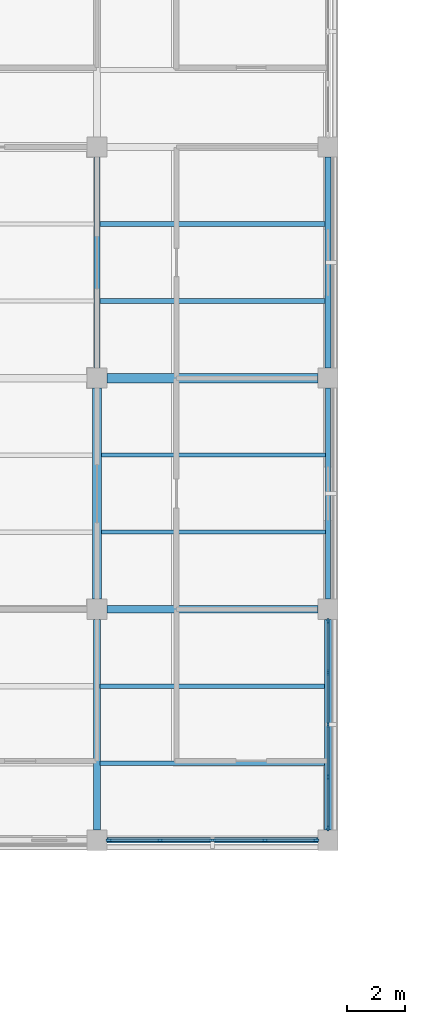
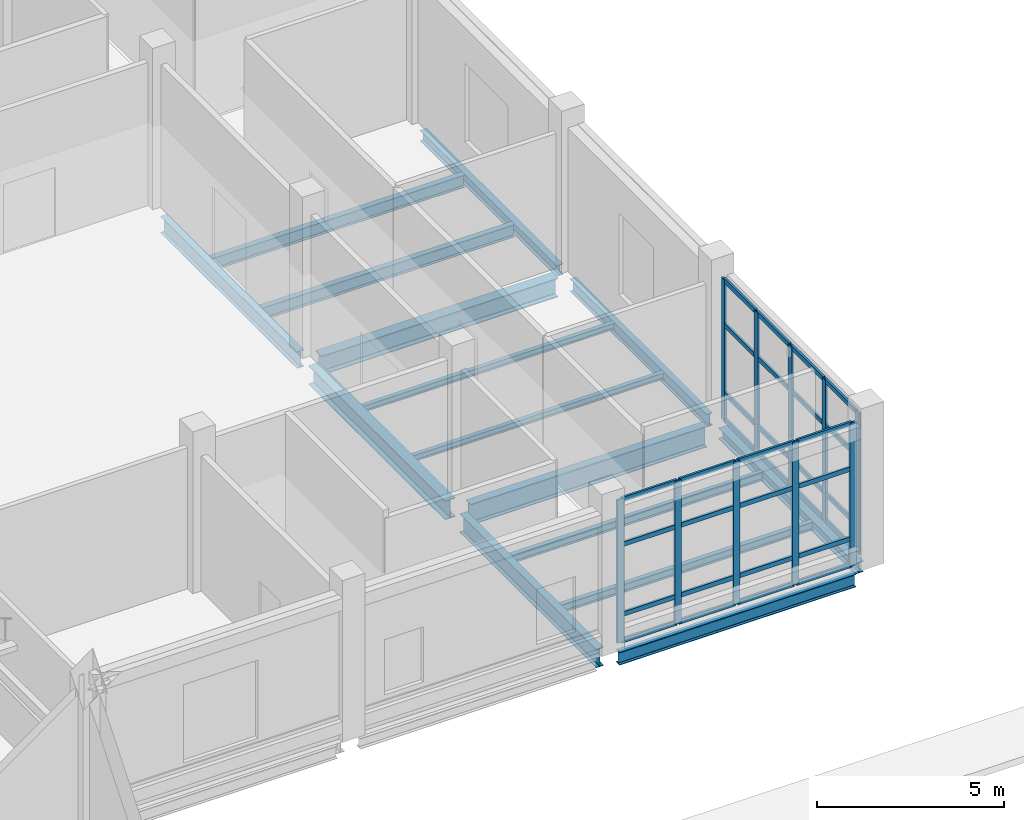
# One storey, part 9 of 105: 42 members, 15 beams, 2 elements without a shape of their own.
"""IFC4 building model written with IfcOpenShell, lengths in metres."""

from ifc_helpers import new_model, si_unit, derived_unit, direction, frame, origin, origin_2d, place, context, subcontext, project, spatial, rectangle, i_section, extrude, material, layer, layer_set, material_profile, profile_set, type_object, element, aggregate, save


model = new_model("IFC4")

# Units and contexts
model_context = context("Model", 3, precision=1e-05, world=origin(), true_north=direction((0.0, 1.0)))
body_context = subcontext(model_context, "Body", "Model", "MODEL_VIEW")
ifc_project = project(units=[si_unit("LENGTHUNIT", "METRE"), si_unit("AREAUNIT", "SQUARE_METRE"), si_unit("VOLUMEUNIT", "CUBIC_METRE"), si_unit("PLANEANGLEUNIT", "RADIAN"), si_unit("MASSUNIT", "GRAM", prefix="KILO"), derived_unit("THERMALTRANSMITTANCEUNIT", [(si_unit("MASSUNIT", "GRAM", prefix="KILO"), 1), (si_unit("TIMEUNIT", "SECOND"), -3), (si_unit("THERMODYNAMICTEMPERATUREUNIT", "KELVIN"), -1)])], contexts=[model_context])

# Site, building, storey
site_placement = place(None, origin())
site = spatial("IfcSite", under=ifc_project, at=site_placement, CompositionType="ELEMENT")
building_placement = place(site_placement, origin())
building = spatial("IfcBuilding", under=site, at=building_placement, Name="Veyamyaing Civic Hall", CompositionType="ELEMENT")
storey_placement = place(building_placement, origin())
storey = spatial("IfcBuildingStorey", under=building, at=storey_placement, Name="L00", CompositionType="ELEMENT", Elevation=0.0)

# Beams
ifc_material_1 = material(Name="Steel ASTM A992", Category="steel")
ifc_material_profile_1 = material_profile(ifc_material_1, i_section(OverallWidth=0.22802734375, OverallDepth=0.60791015625, WebThickness=0.01123046875, FlangeThickness=0.017333984375, FilletRadius=0.012939453125, at=origin_2d()), Name="W610X113")
ifc_profile_set_1 = profile_set([ifc_material_profile_1], Name="Steel ASTM A992")
beam_type_1 = type_object("IfcBeamType", Name="B-06", PredefinedType="BEAM", material=ifc_profile_set_1)
beam_1_placement = place(storey_placement, frame((32.0, 8.35009765625, -0.569091796875), z_axis=(0.0, 1.0, 0.0), x_axis=(-1.0, 0.0, 0.0)))
element("IfcBeam", 1, at=beam_1_placement, inside=storey, type_object=beam_type_1, Name="Girder B-06 L00 Grid 5 B-C", PredefinedType="BEAM", context=body_context, shape_type="SweptSolid", body=[
    extrude(i_section(OverallWidth=0.22802734375, OverallDepth=0.60791015625, WebThickness=0.01123046875, FlangeThickness=0.017333984375, FilletRadius=0.012939453125, at=origin_2d()), origin(), (0.0, 0.0, 1.0), 7.2998046875),
])
ifc_material_profile_2 = material_profile(ifc_material_1, i_section(OverallWidth=0.179931640625, OverallDepth=0.4130859375, WebThickness=0.009765625, FlangeThickness=0.01611328125, FilletRadius=0.010009765625, at=origin_2d()), Name="W410X74")
ifc_profile_set_2 = profile_set([ifc_material_profile_2], Name="Steel ASTM A992")
beam_type_2 = type_object("IfcBeamType", Name="B-10", PredefinedType="SPANDREL", material=ifc_profile_set_2)
beam_2_placement = place(storey_placement, frame((40.0, 16.35009765625, -0.471435546875), z_axis=(0.0, 1.0, 0.0), x_axis=(-1.0, 0.0, 0.0)))
element("IfcBeam", 2, at=beam_2_placement, inside=storey, type_object=beam_type_2, Name="Girder B-10 L00 Grid 6 C-D", PredefinedType="SPANDREL", context=body_context, shape_type="SweptSolid", body=[
    extrude(i_section(OverallWidth=0.179931640625, OverallDepth=0.4130859375, WebThickness=0.009765625, FlangeThickness=0.01611328125, FilletRadius=0.010009765625, at=origin_2d()), origin(), (0.0, 0.0, 1.0), 7.2998046875),
])
ifc_material_profile_3 = material_profile(ifc_material_1, i_section(OverallWidth=0.2041015625, OverallDepth=0.35009765625, WebThickness=0.0078125, FlangeThickness=0.01513671875, FilletRadius=0.010009765625, at=origin_2d()), Name="W360X72")
ifc_profile_set_3 = profile_set([ifc_material_profile_3], Name="Steel ASTM A992")
beam_type_3 = type_object("IfcBeamType", Name="B-11", PredefinedType="SPANDREL", material=ifc_profile_set_3)
beam_3_placement = place(storey_placement, frame((40.0, 24.35009765625, -0.43994140625), z_axis=(0.0, 1.0, 0.0), x_axis=(-1.0, 0.0, 0.0)))
element("IfcBeam", 3, at=beam_3_placement, inside=storey, type_object=beam_type_3, Name="Girder B-11 L00 Grid 6 D-E", PredefinedType="SPANDREL", context=body_context, shape_type="SweptSolid", body=[
    extrude(i_section(OverallWidth=0.2041015625, OverallDepth=0.35009765625, WebThickness=0.0078125, FlangeThickness=0.01513671875, FilletRadius=0.010009765625, at=origin_2d()), origin(), (0.0, 0.0, 1.0), 7.2998046875),
])
ifc_material_profile_4 = material_profile(ifc_material_1, i_section(OverallWidth=0.25390625, OverallDepth=0.68408203125, WebThickness=0.012451171875, FlangeThickness=0.01904296875, FilletRadius=0.013916015625, at=origin_2d()), Name="W690X140")
ifc_profile_set_4 = profile_set([ifc_material_profile_4], Name="Steel ASTM A992")
beam_type_4 = type_object("IfcBeamType", Name="B-14", PredefinedType="BEAM", material=ifc_profile_set_4)
beam_4_placement = place(storey_placement, frame((32.35009765625, 16.0, -0.60693359375), z_axis=(1.0, 0.0, 0.0), x_axis=(0.0, 1.0, 0.0)))
element("IfcBeam", 4, at=beam_4_placement, inside=storey, type_object=beam_type_4, Name="Girder B-14 L00 Grid C 5-6", PredefinedType="BEAM", context=body_context, shape_type="SweptSolid", body=[
    extrude(i_section(OverallWidth=0.25390625, OverallDepth=0.68408203125, WebThickness=0.012451171875, FlangeThickness=0.01904296875, FilletRadius=0.013916015625, at=origin_2d()), origin(), (0.0, 0.0, 1.0), 7.2998046875),
])
ifc_material_profile_5 = material_profile(ifc_material_1, i_section(OverallWidth=0.324951171875, OverallDepth=0.615966796875, WebThickness=0.013916015625, FlangeThickness=0.021484375, FilletRadius=0.013916015625, at=origin_2d()), Name="W610X174")
ifc_profile_set_5 = profile_set([ifc_material_profile_5], Name="Steel ASTM A992")
beam_type_5 = type_object("IfcBeamType", Name="B-15", PredefinedType="BEAM", material=ifc_profile_set_5)
for number, where, z_axis, x_axis, name in (
    (5, (32.35009765625, 24.0, -0.572998046875), (1.0, 0.0, 0.0), (0.0, 1.0, 0.0), "Girder B-15 L00 Grid D 5-6"),
    (6, (32.0, 16.35009765625, -0.572998046875), (0.0, 1.0, 0.0), (-1.0, 0.0, 0.0), "Girder B-15 L00 Grid 5 C-D"),
):
    element("IfcBeam", number, at=place(storey_placement, frame(where, z_axis=z_axis, x_axis=x_axis)), inside=storey, type_object=beam_type_5, Name=name, PredefinedType="BEAM", context=body_context, shape_type="SweptSolid", body=[
        extrude(i_section(OverallWidth=0.324951171875, OverallDepth=0.615966796875, WebThickness=0.013916015625, FlangeThickness=0.021484375, FilletRadius=0.013916015625, at=origin_2d()), origin(), (0.0, 0.0, 1.0), 7.2998046875),
    ])
ifc_material_profile_6 = material_profile(ifc_material_1, i_section(OverallWidth=0.214111328125, OverallDepth=0.549072265625, WebThickness=0.0146484375, FlangeThickness=0.023681640625, FilletRadius=0.011962890625, at=origin_2d()), Name="W530X138")
ifc_profile_set_6 = profile_set([ifc_material_profile_6], Name="Steel ASTM A992")
beam_type_6 = type_object("IfcBeamType", Name="B-16", PredefinedType="BEAM", material=ifc_profile_set_6)
beam_5_placement = place(storey_placement, frame((32.0, 24.35009765625, -0.53955078125), z_axis=(0.0, 1.0, 0.0), x_axis=(-1.0, 0.0, 0.0)))
element("IfcBeam", 7, at=beam_5_placement, inside=storey, type_object=beam_type_6, Name="Girder B-16 L00 Grid 5 D-E", PredefinedType="BEAM", context=body_context, shape_type="SweptSolid", body=[
    extrude(i_section(OverallWidth=0.214111328125, OverallDepth=0.549072265625, WebThickness=0.0146484375, FlangeThickness=0.023681640625, FilletRadius=0.011962890625, at=origin_2d()), origin(), (0.0, 0.0, 1.0), 7.2998046875),
])
ifc_material_profile_7 = material_profile(ifc_material_1, i_section(OverallWidth=0.180908203125, OverallDepth=0.4169921875, WebThickness=0.010986328125, FlangeThickness=0.018310546875, FilletRadius=0.010009765625, at=origin_2d()), Name="W410X85")
ifc_profile_set_7 = profile_set([ifc_material_profile_7], Name="Steel ASTM A992")
beam_type_7 = type_object("IfcBeamType", Name="B-19", PredefinedType="SPANDREL", material=ifc_profile_set_7)
beam_6_placement = place(storey_placement, frame((32.35009765625, 8.0, -0.473388671875), z_axis=(1.0, 0.0, 0.0), x_axis=(0.0, 1.0, 0.0)))
element("IfcBeam", 8, at=beam_6_placement, inside=storey, type_object=beam_type_7, Name="Girder B-19 L00 Grid B 5-6", PredefinedType="SPANDREL", context=body_context, shape_type="SweptSolid", body=[
    extrude(i_section(OverallWidth=0.180908203125, OverallDepth=0.4169921875, WebThickness=0.010986328125, FlangeThickness=0.018310546875, FilletRadius=0.010009765625, at=origin_2d()), origin(), (0.0, 0.0, 1.0), 7.2998046875),
])
ifc_material_profile_8 = material_profile(ifc_material_1, i_section(OverallWidth=0.25390625, OverallDepth=0.35302734375, WebThickness=0.009521484375, FlangeThickness=0.016357421875, FilletRadius=0.011962890625, at=origin_2d()), Name="W360X91")
ifc_profile_set_8 = profile_set([ifc_material_profile_8], Name="Steel ASTM A992")
beam_type_8 = type_object("IfcBeamType", Name="B-20", PredefinedType="SPANDREL", material=ifc_profile_set_8)
beam_7_placement = place(storey_placement, frame((40.0, 8.35009765625, -0.44140625), z_axis=(0.0, 1.0, 0.0), x_axis=(-1.0, 0.0, 0.0)))
element("IfcBeam", 9, at=beam_7_placement, inside=storey, type_object=beam_type_8, Name="Girder B-20 L00 Grid 6 B-C", PredefinedType="SPANDREL", context=body_context, shape_type="SweptSolid", body=[
    extrude(i_section(OverallWidth=0.25390625, OverallDepth=0.35302734375, WebThickness=0.009521484375, FlangeThickness=0.016357421875, FilletRadius=0.011962890625, at=origin_2d()), origin(), (0.0, 0.0, 1.0), 7.2998046875),
])

# Curtain wall, members
ifc_material_2 = material(Name="Anodised aluminium 6063-T6", Category="aluminium")
ifc_layer = layer(ifc_material_2, 0.199951171875, Name="Anodised aluminium 6063-T6")
ifc_layer_set = layer_set([ifc_layer], Name="Anodised aluminium 6063-T6")
curtain_wall_type = type_object("IfcCurtainWallType", Name="CW-10", PredefinedType="NOTDEFINED", material=ifc_layer_set)
curtain_wall_1_placement = place(storey_placement, origin())
curtain_wall_1 = element("IfcCurtainWall", 10, at=curtain_wall_1_placement, inside=storey, type_object=curtain_wall_type, Name="Unitized curtain wall CW-10 L00 S 5.2", PredefinedType="NOTDEFINED")
ifc_material_profile_9 = material_profile(ifc_material_2, rectangle(XDim=0.070068359375, YDim=0.199951171875, at=origin_2d()), Name="ALU-MUL-70X200")
ifc_profile_set_9 = profile_set([ifc_material_profile_9], Name="Anodised aluminium 6063-T6")
member_type_1 = type_object("IfcMemberType", Name="CWM-04", PredefinedType="MULLION", material=ifc_profile_set_9)
member_1_placement = place(storey_placement, frame((32.4150390625, 8.0, 0.0), z_axis=(0.0, 0.0, 1.0), x_axis=(0.0, 1.0, 0.0)))
member_1 = element("IfcMember", 11, at=member_1_placement, type_object=member_type_1, Name="CW-10 mullion 1", PredefinedType="MULLION", context=body_context, shape_type="SweptSolid", body=[
    extrude(rectangle(XDim=0.070068359375, YDim=0.199951171875, at=origin_2d()), origin(), (0.0, 0.0, 1.0), 4.674072265625),
])
member_2_placement = place(storey_placement, frame((34.18994140625, 8.0, 0.0), z_axis=(0.0, 0.0, 1.0), x_axis=(0.0, 1.0, 0.0)))
member_2 = element("IfcMember", 12, at=member_2_placement, type_object=member_type_1, Name="CW-10 mullion 2", PredefinedType="MULLION", context=body_context, shape_type="SweptSolid", body=[
    extrude(rectangle(XDim=0.070068359375, YDim=0.199951171875, at=origin_2d()), origin(), (0.0, 0.0, 1.0), 4.674072265625),
])
member_3_placement = place(storey_placement, frame((36.0, 8.0, 0.0), z_axis=(0.0, 0.0, 1.0), x_axis=(0.0, 1.0, 0.0)))
member_3 = element("IfcMember", 13, at=member_3_placement, type_object=member_type_1, Name="CW-10 mullion 3", PredefinedType="MULLION", context=body_context, shape_type="SweptSolid", body=[
    extrude(rectangle(XDim=0.070068359375, YDim=0.199951171875, at=origin_2d()), origin(), (0.0, 0.0, 1.0), 4.674072265625),
])
member_4_placement = place(storey_placement, frame((37.81005859375, 8.0, 0.0), z_axis=(0.0, 0.0, 1.0), x_axis=(0.0, 1.0, 0.0)))
member_4 = element("IfcMember", 14, at=member_4_placement, type_object=member_type_1, Name="CW-10 mullion 4", PredefinedType="MULLION", context=body_context, shape_type="SweptSolid", body=[
    extrude(rectangle(XDim=0.070068359375, YDim=0.199951171875, at=origin_2d()), origin(), (0.0, 0.0, 1.0), 4.674072265625),
])
member_5_placement = place(storey_placement, frame((39.5849609375, 8.0, 0.0), z_axis=(0.0, 0.0, 1.0), x_axis=(0.0, 1.0, 0.0)))
member_5 = element("IfcMember", 15, at=member_5_placement, type_object=member_type_1, Name="CW-10 mullion 5", PredefinedType="MULLION", context=body_context, shape_type="SweptSolid", body=[
    extrude(rectangle(XDim=0.070068359375, YDim=0.199951171875, at=origin_2d()), origin(), (0.0, 0.0, 1.0), 4.674072265625),
])

curtain_wall_2_placement = place(storey_placement, origin())
curtain_wall_2 = element("IfcCurtainWall", 16, at=curtain_wall_2_placement, inside=storey, type_object=curtain_wall_type, Name="Unitized curtain wall CW-10 L00 E 5.2", PredefinedType="NOTDEFINED")
member_6_placement = place(storey_placement, frame((40.0, 8.4150390625, 0.0), z_axis=(0.0, 0.0, 1.0), x_axis=(-1.0, 0.0, 0.0)))
member_6 = element("IfcMember", 17, at=member_6_placement, type_object=member_type_1, Name="CW-10 mullion 1", PredefinedType="MULLION", context=body_context, shape_type="SweptSolid", body=[
    extrude(rectangle(XDim=0.070068359375, YDim=0.199951171875, at=origin_2d()), origin(), (0.0, 0.0, 1.0), 4.614013671875),
])
member_7_placement = place(storey_placement, frame((40.0, 10.18994140625, 0.0), z_axis=(0.0, 0.0, 1.0), x_axis=(-1.0, 0.0, 0.0)))
member_7 = element("IfcMember", 18, at=member_7_placement, type_object=member_type_1, Name="CW-10 mullion 2", PredefinedType="MULLION", context=body_context, shape_type="SweptSolid", body=[
    extrude(rectangle(XDim=0.070068359375, YDim=0.199951171875, at=origin_2d()), origin(), (0.0, 0.0, 1.0), 4.614013671875),
])
member_8_placement = place(storey_placement, frame((40.0, 12.0, 0.0), z_axis=(0.0, 0.0, 1.0), x_axis=(-1.0, 0.0, 0.0)))
member_8 = element("IfcMember", 19, at=member_8_placement, type_object=member_type_1, Name="CW-10 mullion 3", PredefinedType="MULLION", context=body_context, shape_type="SweptSolid", body=[
    extrude(rectangle(XDim=0.070068359375, YDim=0.199951171875, at=origin_2d()), origin(), (0.0, 0.0, 1.0), 4.614013671875),
])
member_9_placement = place(storey_placement, frame((40.0, 13.81005859375, 0.0), z_axis=(0.0, 0.0, 1.0), x_axis=(-1.0, 0.0, 0.0)))
member_9 = element("IfcMember", 20, at=member_9_placement, type_object=member_type_1, Name="CW-10 mullion 4", PredefinedType="MULLION", context=body_context, shape_type="SweptSolid", body=[
    extrude(rectangle(XDim=0.070068359375, YDim=0.199951171875, at=origin_2d()), origin(), (0.0, 0.0, 1.0), 4.614013671875),
])
member_10_placement = place(storey_placement, frame((40.0, 15.5849609375, 0.0), z_axis=(0.0, 0.0, 1.0), x_axis=(-1.0, 0.0, 0.0)))
member_10 = element("IfcMember", 21, at=member_10_placement, type_object=member_type_1, Name="CW-10 mullion 5", PredefinedType="MULLION", context=body_context, shape_type="SweptSolid", body=[
    extrude(rectangle(XDim=0.070068359375, YDim=0.199951171875, at=origin_2d()), origin(), (0.0, 0.0, 1.0), 4.614013671875),
])

# Member
ifc_material_profile_10 = material_profile(ifc_material_2, rectangle(XDim=0.070068359375, YDim=0.14990234375, at=origin_2d()), Name="ALU-TRN-70X150")
ifc_profile_set_10 = profile_set([ifc_material_profile_10], Name="Anodised aluminium 6063-T6")
member_type_2 = type_object("IfcMemberType", Name="CWT-04", PredefinedType="USERDEFINED", material=ifc_profile_set_10)
member_11_placement = place(storey_placement, frame((32.449951171875, 8.0, 0.034912109375), z_axis=(1.0, 0.0, 0.0), x_axis=(0.0, 1.0, 0.0)))
member_11 = element("IfcMember", 22, at=member_11_placement, type_object=member_type_2, Name="CW-10 transom 1.1", ObjectType="TRANSOM", PredefinedType="USERDEFINED", context=body_context, shape_type="SweptSolid", body=[
    extrude(rectangle(XDim=0.070068359375, YDim=0.14990234375, at=origin_2d()), origin(), (0.0, 0.0, 1.0), 1.705078125),
])

member_12_placement = place(storey_placement, frame((32.449951171875, 8.0, 0.89990234375), z_axis=(1.0, 0.0, 0.0), x_axis=(0.0, 1.0, 0.0)))
member_12 = element("IfcMember", 23, at=member_12_placement, type_object=member_type_2, Name="CW-10 transom 1.2", ObjectType="TRANSOM", PredefinedType="USERDEFINED", context=body_context, shape_type="SweptSolid", body=[
    extrude(rectangle(XDim=0.070068359375, YDim=0.14990234375, at=origin_2d()), origin(), (0.0, 0.0, 1.0), 1.705078125),
])

member_13_placement = place(storey_placement, frame((32.449951171875, 8.0, 3.17822265625), z_axis=(1.0, 0.0, 0.0), x_axis=(0.0, 1.0, 0.0)))
member_13 = element("IfcMember", 24, at=member_13_placement, type_object=member_type_2, Name="CW-10 transom 1.3", ObjectType="TRANSOM", PredefinedType="USERDEFINED", context=body_context, shape_type="SweptSolid", body=[
    extrude(rectangle(XDim=0.070068359375, YDim=0.14990234375, at=origin_2d()), origin(), (0.0, 0.0, 1.0), 1.705078125),
])

member_14_placement = place(storey_placement, frame((32.449951171875, 8.0, 4.638916015625), z_axis=(1.0, 0.0, 0.0), x_axis=(0.0, 1.0, 0.0)))
member_14 = element("IfcMember", 25, at=member_14_placement, type_object=member_type_2, Name="CW-10 transom 1.4", ObjectType="TRANSOM", PredefinedType="USERDEFINED", context=body_context, shape_type="SweptSolid", body=[
    extrude(rectangle(XDim=0.070068359375, YDim=0.14990234375, at=origin_2d()), origin(), (0.0, 0.0, 1.0), 1.705078125),
])

member_15_placement = place(storey_placement, frame((34.22509765625, 8.0, 0.034912109375), z_axis=(1.0, 0.0, 0.0), x_axis=(0.0, 1.0, 0.0)))
member_15 = element("IfcMember", 26, at=member_15_placement, type_object=member_type_2, Name="CW-10 transom 2.1", ObjectType="TRANSOM", PredefinedType="USERDEFINED", context=body_context, shape_type="SweptSolid", body=[
    extrude(rectangle(XDim=0.070068359375, YDim=0.14990234375, at=origin_2d()), origin(), (0.0, 0.0, 1.0), 1.739990234375),
])

member_16_placement = place(storey_placement, frame((34.22509765625, 8.0, 0.89990234375), z_axis=(1.0, 0.0, 0.0), x_axis=(0.0, 1.0, 0.0)))
member_16 = element("IfcMember", 27, at=member_16_placement, type_object=member_type_2, Name="CW-10 transom 2.2", ObjectType="TRANSOM", PredefinedType="USERDEFINED", context=body_context, shape_type="SweptSolid", body=[
    extrude(rectangle(XDim=0.070068359375, YDim=0.14990234375, at=origin_2d()), origin(), (0.0, 0.0, 1.0), 1.739990234375),
])

member_17_placement = place(storey_placement, frame((34.22509765625, 8.0, 3.17822265625), z_axis=(1.0, 0.0, 0.0), x_axis=(0.0, 1.0, 0.0)))
member_17 = element("IfcMember", 28, at=member_17_placement, type_object=member_type_2, Name="CW-10 transom 2.3", ObjectType="TRANSOM", PredefinedType="USERDEFINED", context=body_context, shape_type="SweptSolid", body=[
    extrude(rectangle(XDim=0.070068359375, YDim=0.14990234375, at=origin_2d()), origin(), (0.0, 0.0, 1.0), 1.739990234375),
])

member_18_placement = place(storey_placement, frame((34.22509765625, 8.0, 4.638916015625), z_axis=(1.0, 0.0, 0.0), x_axis=(0.0, 1.0, 0.0)))
member_18 = element("IfcMember", 29, at=member_18_placement, type_object=member_type_2, Name="CW-10 transom 2.4", ObjectType="TRANSOM", PredefinedType="USERDEFINED", context=body_context, shape_type="SweptSolid", body=[
    extrude(rectangle(XDim=0.070068359375, YDim=0.14990234375, at=origin_2d()), origin(), (0.0, 0.0, 1.0), 1.739990234375),
])

member_19_placement = place(storey_placement, frame((36.034912109375, 8.0, 0.034912109375), z_axis=(1.0, 0.0, 0.0), x_axis=(0.0, 1.0, 0.0)))
member_19 = element("IfcMember", 30, at=member_19_placement, type_object=member_type_2, Name="CW-10 transom 3.1", ObjectType="TRANSOM", PredefinedType="USERDEFINED", context=body_context, shape_type="SweptSolid", body=[
    extrude(rectangle(XDim=0.070068359375, YDim=0.14990234375, at=origin_2d()), origin(), (0.0, 0.0, 1.0), 1.739990234375),
])

member_20_placement = place(storey_placement, frame((36.034912109375, 8.0, 0.89990234375), z_axis=(1.0, 0.0, 0.0), x_axis=(0.0, 1.0, 0.0)))
member_20 = element("IfcMember", 31, at=member_20_placement, type_object=member_type_2, Name="CW-10 transom 3.2", ObjectType="TRANSOM", PredefinedType="USERDEFINED", context=body_context, shape_type="SweptSolid", body=[
    extrude(rectangle(XDim=0.070068359375, YDim=0.14990234375, at=origin_2d()), origin(), (0.0, 0.0, 1.0), 1.739990234375),
])

member_21_placement = place(storey_placement, frame((36.034912109375, 8.0, 3.17822265625), z_axis=(1.0, 0.0, 0.0), x_axis=(0.0, 1.0, 0.0)))
member_21 = element("IfcMember", 32, at=member_21_placement, type_object=member_type_2, Name="CW-10 transom 3.3", ObjectType="TRANSOM", PredefinedType="USERDEFINED", context=body_context, shape_type="SweptSolid", body=[
    extrude(rectangle(XDim=0.070068359375, YDim=0.14990234375, at=origin_2d()), origin(), (0.0, 0.0, 1.0), 1.739990234375),
])

member_22_placement = place(storey_placement, frame((36.034912109375, 8.0, 4.638916015625), z_axis=(1.0, 0.0, 0.0), x_axis=(0.0, 1.0, 0.0)))
member_22 = element("IfcMember", 33, at=member_22_placement, type_object=member_type_2, Name="CW-10 transom 3.4", ObjectType="TRANSOM", PredefinedType="USERDEFINED", context=body_context, shape_type="SweptSolid", body=[
    extrude(rectangle(XDim=0.070068359375, YDim=0.14990234375, at=origin_2d()), origin(), (0.0, 0.0, 1.0), 1.739990234375),
])

member_23_placement = place(storey_placement, frame((37.844970703125, 8.0, 0.034912109375), z_axis=(1.0, 0.0, 0.0), x_axis=(0.0, 1.0, 0.0)))
member_23 = element("IfcMember", 34, at=member_23_placement, type_object=member_type_2, Name="CW-10 transom 4.1", ObjectType="TRANSOM", PredefinedType="USERDEFINED", context=body_context, shape_type="SweptSolid", body=[
    extrude(rectangle(XDim=0.070068359375, YDim=0.14990234375, at=origin_2d()), origin(), (0.0, 0.0, 1.0), 1.705078125),
])

member_24_placement = place(storey_placement, frame((37.844970703125, 8.0, 0.89990234375), z_axis=(1.0, 0.0, 0.0), x_axis=(0.0, 1.0, 0.0)))
member_24 = element("IfcMember", 35, at=member_24_placement, type_object=member_type_2, Name="CW-10 transom 4.2", ObjectType="TRANSOM", PredefinedType="USERDEFINED", context=body_context, shape_type="SweptSolid", body=[
    extrude(rectangle(XDim=0.070068359375, YDim=0.14990234375, at=origin_2d()), origin(), (0.0, 0.0, 1.0), 1.705078125),
])

member_25_placement = place(storey_placement, frame((37.844970703125, 8.0, 3.17822265625), z_axis=(1.0, 0.0, 0.0), x_axis=(0.0, 1.0, 0.0)))
member_25 = element("IfcMember", 36, at=member_25_placement, type_object=member_type_2, Name="CW-10 transom 4.3", ObjectType="TRANSOM", PredefinedType="USERDEFINED", context=body_context, shape_type="SweptSolid", body=[
    extrude(rectangle(XDim=0.070068359375, YDim=0.14990234375, at=origin_2d()), origin(), (0.0, 0.0, 1.0), 1.705078125),
])

member_26_placement = place(storey_placement, frame((37.844970703125, 8.0, 4.638916015625), z_axis=(1.0, 0.0, 0.0), x_axis=(0.0, 1.0, 0.0)))
member_26 = element("IfcMember", 37, at=member_26_placement, type_object=member_type_2, Name="CW-10 transom 4.4", ObjectType="TRANSOM", PredefinedType="USERDEFINED", context=body_context, shape_type="SweptSolid", body=[
    extrude(rectangle(XDim=0.070068359375, YDim=0.14990234375, at=origin_2d()), origin(), (0.0, 0.0, 1.0), 1.705078125),
])

aggregate(curtain_wall_1, [member_1, member_2, member_3, member_4, member_5, member_11, member_12, member_13, member_14, member_15, member_16, member_17, member_18, member_19, member_20, member_21, member_22, member_23, member_24, member_25, member_26])

member_27_placement = place(storey_placement, frame((40.0, 8.449951171875, 0.034912109375), z_axis=(0.0, 1.0, 0.0), x_axis=(-1.0, 0.0, 0.0)))
member_27 = element("IfcMember", 38, at=member_27_placement, type_object=member_type_2, Name="CW-10 transom 1.1", ObjectType="TRANSOM", PredefinedType="USERDEFINED", context=body_context, shape_type="SweptSolid", body=[
    extrude(rectangle(XDim=0.070068359375, YDim=0.14990234375, at=origin_2d()), origin(), (0.0, 0.0, 1.0), 1.705078125),
])

member_28_placement = place(storey_placement, frame((40.0, 8.449951171875, 0.89990234375), z_axis=(0.0, 1.0, 0.0), x_axis=(-1.0, 0.0, 0.0)))
member_28 = element("IfcMember", 39, at=member_28_placement, type_object=member_type_2, Name="CW-10 transom 1.2", ObjectType="TRANSOM", PredefinedType="USERDEFINED", context=body_context, shape_type="SweptSolid", body=[
    extrude(rectangle(XDim=0.070068359375, YDim=0.14990234375, at=origin_2d()), origin(), (0.0, 0.0, 1.0), 1.705078125),
])

member_29_placement = place(storey_placement, frame((40.0, 8.449951171875, 3.137451171875), z_axis=(0.0, 1.0, 0.0), x_axis=(-1.0, 0.0, 0.0)))
member_29 = element("IfcMember", 40, at=member_29_placement, type_object=member_type_2, Name="CW-10 transom 1.3", ObjectType="TRANSOM", PredefinedType="USERDEFINED", context=body_context, shape_type="SweptSolid", body=[
    extrude(rectangle(XDim=0.070068359375, YDim=0.14990234375, at=origin_2d()), origin(), (0.0, 0.0, 1.0), 1.705078125),
])

member_30_placement = place(storey_placement, frame((40.0, 8.449951171875, 4.5791015625), z_axis=(0.0, 1.0, 0.0), x_axis=(-1.0, 0.0, 0.0)))
member_30 = element("IfcMember", 41, at=member_30_placement, type_object=member_type_2, Name="CW-10 transom 1.4", ObjectType="TRANSOM", PredefinedType="USERDEFINED", context=body_context, shape_type="SweptSolid", body=[
    extrude(rectangle(XDim=0.070068359375, YDim=0.14990234375, at=origin_2d()), origin(), (0.0, 0.0, 1.0), 1.705078125),
])

member_31_placement = place(storey_placement, frame((40.0, 10.22509765625, 0.034912109375), z_axis=(0.0, 1.0, 0.0), x_axis=(-1.0, 0.0, 0.0)))
member_31 = element("IfcMember", 42, at=member_31_placement, type_object=member_type_2, Name="CW-10 transom 2.1", ObjectType="TRANSOM", PredefinedType="USERDEFINED", context=body_context, shape_type="SweptSolid", body=[
    extrude(rectangle(XDim=0.070068359375, YDim=0.14990234375, at=origin_2d()), origin(), (0.0, 0.0, 1.0), 1.739990234375),
])

member_32_placement = place(storey_placement, frame((40.0, 10.22509765625, 0.89990234375), z_axis=(0.0, 1.0, 0.0), x_axis=(-1.0, 0.0, 0.0)))
member_32 = element("IfcMember", 43, at=member_32_placement, type_object=member_type_2, Name="CW-10 transom 2.2", ObjectType="TRANSOM", PredefinedType="USERDEFINED", context=body_context, shape_type="SweptSolid", body=[
    extrude(rectangle(XDim=0.070068359375, YDim=0.14990234375, at=origin_2d()), origin(), (0.0, 0.0, 1.0), 1.739990234375),
])

member_33_placement = place(storey_placement, frame((40.0, 10.22509765625, 3.137451171875), z_axis=(0.0, 1.0, 0.0), x_axis=(-1.0, 0.0, 0.0)))
member_33 = element("IfcMember", 44, at=member_33_placement, type_object=member_type_2, Name="CW-10 transom 2.3", ObjectType="TRANSOM", PredefinedType="USERDEFINED", context=body_context, shape_type="SweptSolid", body=[
    extrude(rectangle(XDim=0.070068359375, YDim=0.14990234375, at=origin_2d()), origin(), (0.0, 0.0, 1.0), 1.739990234375),
])

member_34_placement = place(storey_placement, frame((40.0, 10.22509765625, 4.5791015625), z_axis=(0.0, 1.0, 0.0), x_axis=(-1.0, 0.0, 0.0)))
member_34 = element("IfcMember", 45, at=member_34_placement, type_object=member_type_2, Name="CW-10 transom 2.4", ObjectType="TRANSOM", PredefinedType="USERDEFINED", context=body_context, shape_type="SweptSolid", body=[
    extrude(rectangle(XDim=0.070068359375, YDim=0.14990234375, at=origin_2d()), origin(), (0.0, 0.0, 1.0), 1.739990234375),
])

member_35_placement = place(storey_placement, frame((40.0, 12.034912109375, 0.034912109375), z_axis=(0.0, 1.0, 0.0), x_axis=(-1.0, 0.0, 0.0)))
member_35 = element("IfcMember", 46, at=member_35_placement, type_object=member_type_2, Name="CW-10 transom 3.1", ObjectType="TRANSOM", PredefinedType="USERDEFINED", context=body_context, shape_type="SweptSolid", body=[
    extrude(rectangle(XDim=0.070068359375, YDim=0.14990234375, at=origin_2d()), origin(), (0.0, 0.0, 1.0), 1.739990234375),
])

member_36_placement = place(storey_placement, frame((40.0, 12.034912109375, 0.89990234375), z_axis=(0.0, 1.0, 0.0), x_axis=(-1.0, 0.0, 0.0)))
member_36 = element("IfcMember", 47, at=member_36_placement, type_object=member_type_2, Name="CW-10 transom 3.2", ObjectType="TRANSOM", PredefinedType="USERDEFINED", context=body_context, shape_type="SweptSolid", body=[
    extrude(rectangle(XDim=0.070068359375, YDim=0.14990234375, at=origin_2d()), origin(), (0.0, 0.0, 1.0), 1.739990234375),
])

member_37_placement = place(storey_placement, frame((40.0, 12.034912109375, 3.137451171875), z_axis=(0.0, 1.0, 0.0), x_axis=(-1.0, 0.0, 0.0)))
member_37 = element("IfcMember", 48, at=member_37_placement, type_object=member_type_2, Name="CW-10 transom 3.3", ObjectType="TRANSOM", PredefinedType="USERDEFINED", context=body_context, shape_type="SweptSolid", body=[
    extrude(rectangle(XDim=0.070068359375, YDim=0.14990234375, at=origin_2d()), origin(), (0.0, 0.0, 1.0), 1.739990234375),
])

member_38_placement = place(storey_placement, frame((40.0, 12.034912109375, 4.5791015625), z_axis=(0.0, 1.0, 0.0), x_axis=(-1.0, 0.0, 0.0)))
member_38 = element("IfcMember", 49, at=member_38_placement, type_object=member_type_2, Name="CW-10 transom 3.4", ObjectType="TRANSOM", PredefinedType="USERDEFINED", context=body_context, shape_type="SweptSolid", body=[
    extrude(rectangle(XDim=0.070068359375, YDim=0.14990234375, at=origin_2d()), origin(), (0.0, 0.0, 1.0), 1.739990234375),
])

member_39_placement = place(storey_placement, frame((40.0, 13.844970703125, 0.034912109375), z_axis=(0.0, 1.0, 0.0), x_axis=(-1.0, 0.0, 0.0)))
member_39 = element("IfcMember", 50, at=member_39_placement, type_object=member_type_2, Name="CW-10 transom 4.1", ObjectType="TRANSOM", PredefinedType="USERDEFINED", context=body_context, shape_type="SweptSolid", body=[
    extrude(rectangle(XDim=0.070068359375, YDim=0.14990234375, at=origin_2d()), origin(), (0.0, 0.0, 1.0), 1.705078125),
])

member_40_placement = place(storey_placement, frame((40.0, 13.844970703125, 0.89990234375), z_axis=(0.0, 1.0, 0.0), x_axis=(-1.0, 0.0, 0.0)))
member_40 = element("IfcMember", 51, at=member_40_placement, type_object=member_type_2, Name="CW-10 transom 4.2", ObjectType="TRANSOM", PredefinedType="USERDEFINED", context=body_context, shape_type="SweptSolid", body=[
    extrude(rectangle(XDim=0.070068359375, YDim=0.14990234375, at=origin_2d()), origin(), (0.0, 0.0, 1.0), 1.705078125),
])

member_41_placement = place(storey_placement, frame((40.0, 13.844970703125, 3.137451171875), z_axis=(0.0, 1.0, 0.0), x_axis=(-1.0, 0.0, 0.0)))
member_41 = element("IfcMember", 52, at=member_41_placement, type_object=member_type_2, Name="CW-10 transom 4.3", ObjectType="TRANSOM", PredefinedType="USERDEFINED", context=body_context, shape_type="SweptSolid", body=[
    extrude(rectangle(XDim=0.070068359375, YDim=0.14990234375, at=origin_2d()), origin(), (0.0, 0.0, 1.0), 1.705078125),
])

member_42_placement = place(storey_placement, frame((40.0, 13.844970703125, 4.5791015625), z_axis=(0.0, 1.0, 0.0), x_axis=(-1.0, 0.0, 0.0)))
member_42 = element("IfcMember", 53, at=member_42_placement, type_object=member_type_2, Name="CW-10 transom 4.4", ObjectType="TRANSOM", PredefinedType="USERDEFINED", context=body_context, shape_type="SweptSolid", body=[
    extrude(rectangle(XDim=0.070068359375, YDim=0.14990234375, at=origin_2d()), origin(), (0.0, 0.0, 1.0), 1.705078125),
])

aggregate(curtain_wall_2, [member_6, member_7, member_8, member_9, member_10, member_27, member_28, member_29, member_30, member_31, member_32, member_33, member_34, member_35, member_36, member_37, member_38, member_39, member_40, member_41, member_42])

# Beams
ifc_material_profile_11 = material_profile(ifc_material_1, i_section(OverallWidth=0.177978515625, OverallDepth=0.406982421875, WebThickness=0.0078125, FlangeThickness=0.0126953125, FilletRadius=0.010009765625, at=origin_2d()), Name="W410X60")
ifc_profile_set_11 = profile_set([ifc_material_profile_11], Name="Steel ASTM A992")
beam_type_9 = type_object("IfcBeamType", Name="J-01", PredefinedType="JOIST", material=ifc_profile_set_11)
for number, where, z_axis, x_axis, name in (
    (54, (32.10498046875, 26.666748046875, -0.468505859375), (1.0, 0.0, 0.0), (0.0, 1.0, 0.0), "Composite floor joist J-01 L00 5.4.1"),
    (55, (32.10498046875, 29.333251953125, -0.468505859375), (1.0, 0.0, 0.0), (0.0, 1.0, 0.0), "Composite floor joist J-01 L00 5.4.2"),
):
    element("IfcBeam", number, at=place(storey_placement, frame(where, z_axis=z_axis, x_axis=x_axis)), inside=storey, type_object=beam_type_9, Name=name, PredefinedType="JOIST", context=body_context, shape_type="SweptSolid", body=[
        extrude(i_section(OverallWidth=0.177978515625, OverallDepth=0.406982421875, WebThickness=0.0078125, FlangeThickness=0.0126953125, FilletRadius=0.010009765625, at=origin_2d()), origin(), (0.0, 0.0, 1.0), 7.794921875),
    ])
ifc_material_profile_12 = material_profile(ifc_material_1, i_section(OverallWidth=0.14794921875, OverallDepth=0.26611328125, WebThickness=0.007568359375, FlangeThickness=0.012939453125, FilletRadius=0.010009765625, at=origin_2d()), Name="W250X45")
ifc_profile_set_12 = profile_set([ifc_material_profile_12], Name="Steel ASTM A992")
beam_type_10 = type_object("IfcBeamType", Name="J-07", PredefinedType="JOIST", material=ifc_profile_set_12)
for number, where, z_axis, x_axis, name in (
    (56, (32.112060546875, 10.666748046875, -0.39794921875), (1.0, 0.0, 0.0), (0.0, 1.0, 0.0), "Composite floor joist J-07 L00 5.2.1"),
    (57, (32.112060546875, 13.333251953125, -0.39794921875), (1.0, 0.0, 0.0), (0.0, 1.0, 0.0), "Composite floor joist J-07 L00 5.2.2"),
):
    element("IfcBeam", number, at=place(storey_placement, frame(where, z_axis=z_axis, x_axis=x_axis)), inside=storey, type_object=beam_type_10, Name=name, PredefinedType="JOIST", context=body_context, shape_type="SweptSolid", body=[
        extrude(i_section(OverallWidth=0.14794921875, OverallDepth=0.26611328125, WebThickness=0.007568359375, FlangeThickness=0.012939453125, FilletRadius=0.010009765625, at=origin_2d()), origin(), (0.0, 0.0, 1.0), 7.762939453125),
    ])
ifc_material_profile_13 = material_profile(ifc_material_1, i_section(OverallWidth=0.133056640625, OverallDepth=0.20703125, WebThickness=0.005859375, FlangeThickness=0.00830078125, FilletRadius=0.010009765625, at=origin_2d()), Name="W200X27")
ifc_profile_set_13 = profile_set([ifc_material_profile_13], Name="Steel ASTM A992")
beam_type_11 = type_object("IfcBeamType", Name="J-08", PredefinedType="JOIST", material=ifc_profile_set_13)
for number, where, z_axis, x_axis, name in (
    (58, (32.160400390625, 18.666748046875, -0.368408203125), (1.0, 0.0, 0.0), (0.0, 1.0, 0.0), "Composite floor joist J-08 L00 5.3.1"),
    (59, (32.160400390625, 21.333251953125, -0.368408203125), (1.0, 0.0, 0.0), (0.0, 1.0, 0.0), "Composite floor joist J-08 L00 5.3.2"),
):
    element("IfcBeam", number, at=place(storey_placement, frame(where, z_axis=z_axis, x_axis=x_axis)), inside=storey, type_object=beam_type_11, Name=name, PredefinedType="JOIST", context=body_context, shape_type="SweptSolid", body=[
        extrude(i_section(OverallWidth=0.133056640625, OverallDepth=0.20703125, WebThickness=0.005859375, FlangeThickness=0.00830078125, FilletRadius=0.010009765625, at=origin_2d()), origin(), (0.0, 0.0, 1.0), 7.751708984375),
    ])

save(model, "model.ifc")
